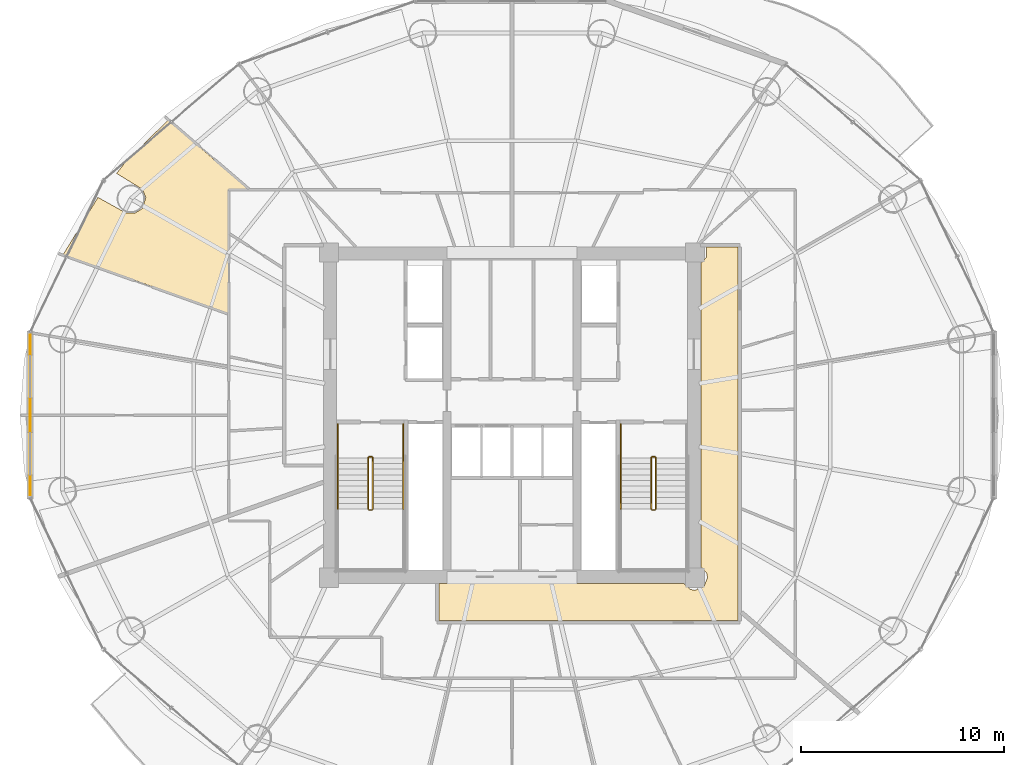
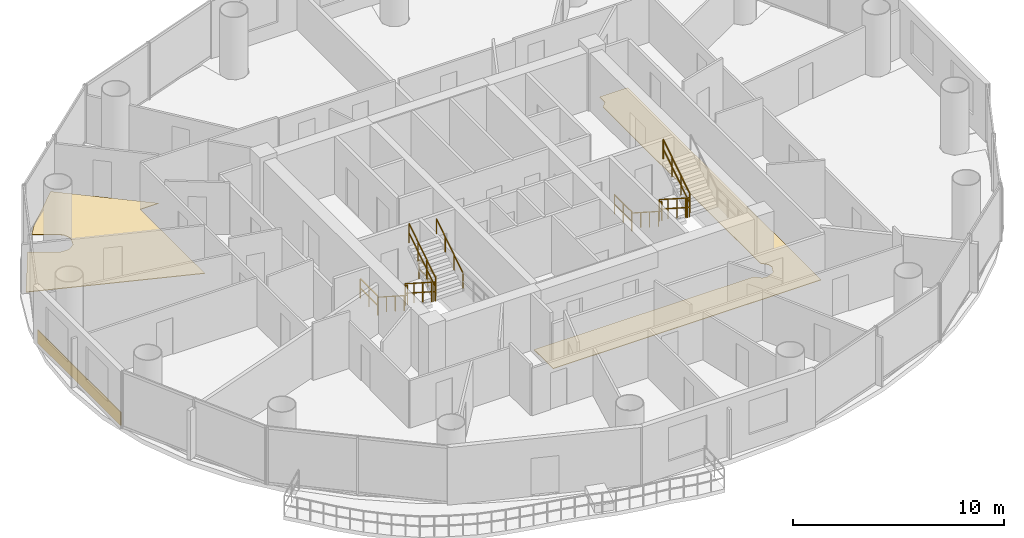
# One storey, part 26 of 27: 14 railings, 3 coverings.
"""IFC4 building model written with IfcOpenShell, lengths in metres."""

from ifc_helpers import new_model, si_unit, direction, frame, origin, origin_2d, place, context, subcontext, project, spatial, polyline, rectangle, outline, extrude, source, transform, mapped, material, layer, layer_set, type_object, element, save


model = new_model("IFC4")

# Units and contexts
model_context = context("Model", 3, precision=1e-05, world=origin(), true_north=direction((-0.2419218956, 0.970295726276)))
body_context = subcontext(model_context, "Body", "Model", "MODEL_VIEW")
ifc_project = project(units=[si_unit("LENGTHUNIT", "METRE"), si_unit("AREAUNIT", "SQUARE_METRE"), si_unit("VOLUMEUNIT", "CUBIC_METRE"), si_unit("PLANEANGLEUNIT", "RADIAN"), si_unit("MASSUNIT", "GRAM", prefix="KILO")], contexts=[model_context])

# Site, building, storey
site_placement = place(None, origin())
site = spatial("IfcSite", under=ifc_project, at=site_placement, CompositionType="ELEMENT")
building_placement = place(site_placement, origin())
building = spatial("IfcBuilding", under=site, at=building_placement, Name="Cobrevalo Terracotta Tower", CompositionType="ELEMENT")
storey_placement = place(building_placement, frame((0.0, 0.0, 153.39990234375)))
storey = spatial("IfcBuildingStorey", under=building, at=storey_placement, Name="L40", CompositionType="ELEMENT", Elevation=153.39990234375)

# Coverings
ifc_material_1 = material(Name="Engineered Brazilian hardwood flooring", Category="wood")
ifc_layer_1 = layer(ifc_material_1, 0.028076171875)
ifc_layer_set_1 = layer_set([ifc_layer_1], Name="Engineered Brazilian hardwood flooring")
covering_type_1 = type_object("IfcCoveringType", Name="Engineered Hardwood Suite Flooring 28", PredefinedType="FLOORING", material=ifc_layer_set_1)
covering_1_placement = place(storey_placement, origin())
element("IfcCovering", 1, at=covering_1_placement, inside=storey, type_object=covering_type_1, Name="Flat L40A Principal Guest Bedroom floor finish", PredefinedType="FLOORING", context=body_context, shape_type="SweptSolid", body=[
    extrude(outline(polyline([(17.632568359375, 37.50634765625), (19.017822265625, 36.736572265625), (19.447265625, 36.725830078125), (19.810302734375, 36.955322265625), (19.988525390625, 37.4931640625), (19.834228515625, 37.89404296875), (18.551513671875, 38.6865234375), (19.02197265625, 39.29052734375), (21.0888671875, 41.308837890625), (25.049072265625, 37.905029296875), (24.044921875, 37.905029296875), (24.044921875, 31.78955078125), (15.918212890625, 34.6826171875), (17.632568359375, 37.50634765625)])), origin(), (0.0, 0.0, 1.0), 0.030029296875),
])
ifc_material_2 = material(Name="Honed terracotta and granite tile", Category="masonry")
ifc_layer_2 = layer(ifc_material_2, 0.034912109375)
ifc_layer_set_2 = layer_set([ifc_layer_2], Name="Honed terracotta and granite tile")
covering_type_2 = type_object("IfcCoveringType", Name="Honed Terracotta & Granite Interior Flooring 35", PredefinedType="FLOORING", material=ifc_layer_set_2)
covering_2_placement = place(storey_placement, origin())
element("IfcCovering", 2, at=covering_2_placement, inside=storey, type_object=covering_type_2, Name="L40 Residential Floor Corridor 1 floor finish", PredefinedType="FLOORING", context=body_context, shape_type="SweptSolid", body=[
    extrude(outline(polyline([(34.419921875, 18.5048828125), (46.46533203125, 18.5048828125), (46.7626953125, 18.226806640625), (47.0, 18.1796875), (47.438720703125, 18.361328125), (47.620361328125, 18.800048828125), (47.5732421875, 19.037353515625), (47.294921875, 19.334716796875), (47.294921875, 34.265380859375), (47.5732421875, 34.5625), (47.5615234375, 35.054931640625), (49.10498046875, 35.054931640625), (49.10498046875, 16.695068359375), (34.419921875, 16.695068359375), (34.419921875, 18.5048828125)])), origin(), (0.0, 0.0, 1.0), 0.030029296875),
])

# Railings
ifc_material_3 = material(Name="Brushed stainless steel", Category="steel")
railing_type_1 = type_object("IfcRailingType", Name="Stainless Steel Stair Handrail 900", PredefinedType="HANDRAIL", material=ifc_material_3)
railing_1_placement = place(storey_placement, frame((29.425048828125, 24.699951171875, 0.18017578125)))
element("IfcRailing", 3, at=railing_1_placement, inside=storey, type_object=railing_type_1, Name="L40 ST-1 stair handrail 1", PredefinedType="HANDRAIL", context=body_context, shape_type="SweptSolid", body=[
    extrude(rectangle(XDim=0.048095703125, YDim=0.048095703125, at=origin_2d()), frame((0.0, 0.0, 0.8759765625), z_axis=(0.0, -0.841199657755, 0.540724639528), x_axis=(1.0, 0.0, 0.0)), (0.0, 0.0, 1.0), 2.995849609375),
    extrude(rectangle(XDim=0.0419921875, YDim=0.0419921875, at=origin_2d()), origin(), (0.0, 0.0, 1.0), 0.851806640625),
    extrude(rectangle(XDim=0.0419921875, YDim=0.0419921875, at=origin_2d()), frame((0.0, -0.840087890625, 0.5400390625)), (0.0, 0.0, 1.0), 0.851806640625),
    extrude(rectangle(XDim=0.0419921875, YDim=0.0419921875, at=origin_2d()), frame((0.0, -1.679931640625, 1.079833984375)), (0.0, 0.0, 1.0), 0.851806640625),
    extrude(rectangle(XDim=0.0419921875, YDim=0.0419921875, at=origin_2d()), frame((0.0, -2.52001953125, 1.619873046875)), (0.0, 0.0, 1.0), 0.851806640625),
])
railing_2_placement = place(storey_placement, frame((32.64501953125, 22.179931640625, 1.97998046875)))
element("IfcRailing", 4, at=railing_2_placement, inside=storey, type_object=railing_type_1, Name="L40 ST-1 stair handrail 2", PredefinedType="HANDRAIL", context=body_context, shape_type="SweptSolid", body=[
    extrude(rectangle(XDim=0.048095703125, YDim=0.048095703125, at=origin_2d()), frame((0.0, 0.0, 0.8759765625), z_axis=(0.0, 0.841162588446, 0.540782303519), x_axis=(-1.0, 0.0, 0.0)), (0.0, 0.0, 1.0), 2.995849609375),
    extrude(rectangle(XDim=0.0419921875, YDim=0.0419921875, at=origin_2d()), origin(), (0.0, 0.0, 1.0), 0.851806640625),
    extrude(rectangle(XDim=0.0419921875, YDim=0.0419921875, at=origin_2d()), frame((0.0, 0.840087890625, 0.5400390625)), (0.0, 0.0, 1.0), 0.851806640625),
    extrude(rectangle(XDim=0.0419921875, YDim=0.0419921875, at=origin_2d()), frame((0.0, 1.679931640625, 1.080078125)), (0.0, 0.0, 1.0), 0.851806640625),
    extrude(rectangle(XDim=0.0419921875, YDim=0.0419921875, at=origin_2d()), frame((0.0, 2.52001953125, 1.6201171875)), (0.0, 0.0, 1.0), 0.851806640625),
])
railing_3_placement = place(storey_placement, frame((43.35498046875, 24.699951171875, 0.18017578125)))
element("IfcRailing", 5, at=railing_3_placement, inside=storey, type_object=railing_type_1, Name="L40 ST-2 stair handrail 1", PredefinedType="HANDRAIL", context=body_context, shape_type="SweptSolid", body=[
    extrude(rectangle(XDim=0.048095703125, YDim=0.048095703125, at=origin_2d()), frame((0.0, 0.0, 0.8759765625), z_axis=(0.0, -0.841199657755, 0.540724639528), x_axis=(1.0, 0.0, 0.0)), (0.0, 0.0, 1.0), 2.995849609375),
    extrude(rectangle(XDim=0.0419921875, YDim=0.0419921875, at=origin_2d()), origin(), (0.0, 0.0, 1.0), 0.851806640625),
    extrude(rectangle(XDim=0.0419921875, YDim=0.0419921875, at=origin_2d()), frame((0.0, -0.840087890625, 0.5400390625)), (0.0, 0.0, 1.0), 0.851806640625),
    extrude(rectangle(XDim=0.0419921875, YDim=0.0419921875, at=origin_2d()), frame((0.0, -1.679931640625, 1.079833984375)), (0.0, 0.0, 1.0), 0.851806640625),
    extrude(rectangle(XDim=0.0419921875, YDim=0.0419921875, at=origin_2d()), frame((0.0, -2.52001953125, 1.619873046875)), (0.0, 0.0, 1.0), 0.851806640625),
])
ifc_material_4 = material(Name="Painted galvanized steel", Category="steel")
railing_type_2 = type_object("IfcRailingType", Name="Stair Well Guard Balustrade 1150", PredefinedType="GUARDRAIL", material=ifc_material_4)
railing_4_placement = place(storey_placement, frame((30.925048828125, 24.699951171875, 0.18017578125)))
element("IfcRailing", 6, at=railing_4_placement, inside=storey, type_object=railing_type_2, Name="L40 ST-1 stair guard 1", PredefinedType="GUARDRAIL", context=body_context, shape_type="SweptSolid", body=[
    extrude(rectangle(XDim=0.048095703125, YDim=0.048095703125, at=origin_2d()), frame((0.0, 0.0, 1.1259765625), z_axis=(0.0, -0.841199657755, 0.540724639528), x_axis=(1.0, 0.0, 0.0)), (0.0, 0.0, 1.0), 2.995849609375),
    extrude(rectangle(XDim=0.048095703125, YDim=0.048095703125, at=origin_2d()), frame((0.0, 0.0, 0.574951171875), z_axis=(0.0, -0.841199657755, 0.540724639528), x_axis=(1.0, 0.0, 0.0)), (0.0, 0.0, 1.0), 2.995849609375),
    extrude(rectangle(XDim=0.0419921875, YDim=0.0419921875, at=origin_2d()), origin(), (0.0, 0.0, 1.0), 1.101806640625),
    extrude(rectangle(XDim=0.0419921875, YDim=0.0419921875, at=origin_2d()), frame((0.0, -0.840087890625, 0.5400390625)), (0.0, 0.0, 1.0), 1.101806640625),
    extrude(rectangle(XDim=0.0419921875, YDim=0.0419921875, at=origin_2d()), frame((0.0, -1.679931640625, 1.079833984375)), (0.0, 0.0, 1.0), 1.101806640625),
    extrude(rectangle(XDim=0.0419921875, YDim=0.0419921875, at=origin_2d()), frame((0.0, -2.52001953125, 1.619873046875)), (0.0, 0.0, 1.0), 1.101806640625),
])
railing_5_placement = place(storey_placement, frame((30.97509765625, 22.1298828125, 1.800048828125)))
element("IfcRailing", 7, at=railing_5_placement, inside=storey, type_object=railing_type_2, Name="L40 ST-1 stair guard 2", PredefinedType="GUARDRAIL", context=body_context, shape_type="SweptSolid", body=[
    extrude(rectangle(XDim=0.048095703125, YDim=0.048095703125, at=origin_2d()), frame((0.0, 0.0, 1.1259765625), z_axis=(1.0, 0.0, 0.0), x_axis=(0.0, 1.0, 0.0)), (0.0, 0.0, 1.0), 0.119873046875),
    extrude(rectangle(XDim=0.048095703125, YDim=0.048095703125, at=origin_2d()), frame((0.0, 0.0, 0.574951171875), z_axis=(1.0, 0.0, 0.0), x_axis=(0.0, 1.0, 0.0)), (0.0, 0.0, 1.0), 0.119873046875),
    extrude(rectangle(XDim=0.0419921875, YDim=0.0419921875, at=origin_2d()), origin(), (0.0, 0.0, 1.0), 1.101806640625),
    extrude(rectangle(XDim=0.0419921875, YDim=0.0419921875, at=origin_2d()), frame((0.119873046875, 0.0, 0.0)), (0.0, 0.0, 1.0), 1.101806640625),
])
railing_6_placement = place(storey_placement, frame((31.14501953125, 22.179931640625, 1.97998046875)))
element("IfcRailing", 8, at=railing_6_placement, inside=storey, type_object=railing_type_2, Name="L40 ST-1 stair guard 6", PredefinedType="GUARDRAIL", context=body_context, shape_type="SweptSolid", body=[
    extrude(rectangle(XDim=0.048095703125, YDim=0.048095703125, at=origin_2d()), frame((0.0, 0.0, 1.1259765625), z_axis=(0.0, 0.841162588446, 0.540782303519), x_axis=(-1.0, 0.0, 0.0)), (0.0, 0.0, 1.0), 2.995849609375),
    extrude(rectangle(XDim=0.048095703125, YDim=0.048095703125, at=origin_2d()), frame((0.0, 0.0, 0.574951171875), z_axis=(0.0, 0.841162588446, 0.540782303519), x_axis=(-1.0, 0.0, 0.0)), (0.0, 0.0, 1.0), 2.995849609375),
    extrude(rectangle(XDim=0.0419921875, YDim=0.0419921875, at=origin_2d()), origin(), (0.0, 0.0, 1.0), 1.101806640625),
    extrude(rectangle(XDim=0.0419921875, YDim=0.0419921875, at=origin_2d()), frame((0.0, 0.840087890625, 0.5400390625)), (0.0, 0.0, 1.0), 1.101806640625),
    extrude(rectangle(XDim=0.0419921875, YDim=0.0419921875, at=origin_2d()), frame((0.0, 1.679931640625, 1.080078125)), (0.0, 0.0, 1.0), 1.101806640625),
    extrude(rectangle(XDim=0.0419921875, YDim=0.0419921875, at=origin_2d()), frame((0.0, 2.52001953125, 1.6201171875)), (0.0, 0.0, 1.0), 1.101806640625),
])
railing_7_placement = place(storey_placement, frame((30.97509765625, 24.75, 0.0)))
element("IfcRailing", 9, at=railing_7_placement, inside=storey, type_object=railing_type_2, Name="L40 ST-1 stair guard 7", PredefinedType="GUARDRAIL", context=body_context, shape_type="SweptSolid", body=[
    extrude(rectangle(XDim=0.048095703125, YDim=0.048095703125, at=origin_2d()), frame((0.0, 0.0, 1.1259765625), z_axis=(1.0, 0.0, 0.0), x_axis=(0.0, 1.0, 0.0)), (0.0, 0.0, 1.0), 0.119873046875),
    extrude(rectangle(XDim=0.048095703125, YDim=0.048095703125, at=origin_2d()), frame((0.0, 0.0, 0.574951171875), z_axis=(1.0, 0.0, 0.0), x_axis=(0.0, 1.0, 0.0)), (0.0, 0.0, 1.0), 0.119873046875),
    extrude(rectangle(XDim=0.0419921875, YDim=0.0419921875, at=origin_2d()), origin(), (0.0, 0.0, 1.0), 1.101806640625),
    extrude(rectangle(XDim=0.0419921875, YDim=0.0419921875, at=origin_2d()), frame((0.119873046875, 0.0, 0.0)), (0.0, 0.0, 1.0), 1.101806640625),
])
for number, where, name in (
    (10, (29.425048828125, 26.35009765625, 0.0), "L40 ST-1 stair guard 8"),
    (11, (32.64501953125, 26.35009765625, 0.0), "L40 ST-1 stair guard 9"),
):
    element("IfcRailing", number, at=place(storey_placement, frame(where)), inside=storey, type_object=railing_type_2, Name=name, PredefinedType="GUARDRAIL", context=body_context, shape_type="SweptSolid", body=[
        extrude(rectangle(XDim=0.048095703125, YDim=0.048095703125, at=origin_2d()), frame((0.0, 0.0, 1.1259765625), z_axis=(0.0, -1.0, 0.0), x_axis=(1.0, 0.0, 0.0)), (0.0, 0.0, 1.0), 1.650146484375),
        extrude(rectangle(XDim=0.048095703125, YDim=0.048095703125, at=origin_2d()), frame((0.0, 0.0, 0.574951171875), z_axis=(0.0, -1.0, 0.0), x_axis=(1.0, 0.0, 0.0)), (0.0, 0.0, 1.0), 1.650146484375),
        extrude(rectangle(XDim=0.0419921875, YDim=0.0419921875, at=origin_2d()), origin(), (0.0, 0.0, 1.0), 1.101806640625),
        extrude(rectangle(XDim=0.0419921875, YDim=0.0419921875, at=origin_2d()), frame((0.0, -0.8251953125, 0.0)), (0.0, 0.0, 1.0), 1.101806640625),
        extrude(rectangle(XDim=0.0419921875, YDim=0.0419921875, at=origin_2d()), frame((0.0, -1.650146484375, 0.0)), (0.0, 0.0, 1.0), 1.101806640625),
    ])
railing_8_placement = place(storey_placement, frame((44.85498046875, 24.699951171875, 0.18017578125)))
element("IfcRailing", 12, at=railing_8_placement, inside=storey, type_object=railing_type_2, Name="L40 ST-2 stair guard 1", PredefinedType="GUARDRAIL", context=body_context, shape_type="SweptSolid", body=[
    extrude(rectangle(XDim=0.048095703125, YDim=0.048095703125, at=origin_2d()), frame((0.0, 0.0, 1.1259765625), z_axis=(0.0, -0.841199657755, 0.540724639528), x_axis=(1.0, 0.0, 0.0)), (0.0, 0.0, 1.0), 2.995849609375),
    extrude(rectangle(XDim=0.048095703125, YDim=0.048095703125, at=origin_2d()), frame((0.0, 0.0, 0.574951171875), z_axis=(0.0, -0.841199657755, 0.540724639528), x_axis=(1.0, 0.0, 0.0)), (0.0, 0.0, 1.0), 2.995849609375),
    extrude(rectangle(XDim=0.0419921875, YDim=0.0419921875, at=origin_2d()), origin(), (0.0, 0.0, 1.0), 1.101806640625),
    extrude(rectangle(XDim=0.0419921875, YDim=0.0419921875, at=origin_2d()), frame((0.0, -0.840087890625, 0.5400390625)), (0.0, 0.0, 1.0), 1.101806640625),
    extrude(rectangle(XDim=0.0419921875, YDim=0.0419921875, at=origin_2d()), frame((0.0, -1.679931640625, 1.079833984375)), (0.0, 0.0, 1.0), 1.101806640625),
    extrude(rectangle(XDim=0.0419921875, YDim=0.0419921875, at=origin_2d()), frame((0.0, -2.52001953125, 1.619873046875)), (0.0, 0.0, 1.0), 1.101806640625),
])
railing_9_placement = place(storey_placement, frame((44.905029296875, 22.1298828125, 1.800048828125)))
element("IfcRailing", 13, at=railing_9_placement, inside=storey, type_object=railing_type_2, Name="L40 ST-2 stair guard 2", PredefinedType="GUARDRAIL", context=body_context, shape_type="SweptSolid", body=[
    extrude(rectangle(XDim=0.048095703125, YDim=0.048095703125, at=origin_2d()), frame((0.0, 0.0, 1.1259765625), z_axis=(1.0, 0.0, 0.0), x_axis=(0.0, 1.0, 0.0)), (0.0, 0.0, 1.0), 0.119873046875),
    extrude(rectangle(XDim=0.048095703125, YDim=0.048095703125, at=origin_2d()), frame((0.0, 0.0, 0.574951171875), z_axis=(1.0, 0.0, 0.0), x_axis=(0.0, 1.0, 0.0)), (0.0, 0.0, 1.0), 0.119873046875),
    extrude(rectangle(XDim=0.0419921875, YDim=0.0419921875, at=origin_2d()), origin(), (0.0, 0.0, 1.0), 1.101806640625),
    extrude(rectangle(XDim=0.0419921875, YDim=0.0419921875, at=origin_2d()), frame((0.119873046875, 0.0, 0.0)), (0.0, 0.0, 1.0), 1.101806640625),
])
railing_10_placement = place(storey_placement, frame((45.074951171875, 22.179931640625, 1.97998046875)))
element("IfcRailing", 14, at=railing_10_placement, inside=storey, type_object=railing_type_2, Name="L40 ST-2 stair guard 6", PredefinedType="GUARDRAIL", context=body_context, shape_type="SweptSolid", body=[
    extrude(rectangle(XDim=0.048095703125, YDim=0.048095703125, at=origin_2d()), frame((0.0, 0.0, 1.1259765625), z_axis=(0.0, 0.841162588446, 0.540782303519), x_axis=(-1.0, 0.0, 0.0)), (0.0, 0.0, 1.0), 2.995849609375),
    extrude(rectangle(XDim=0.048095703125, YDim=0.048095703125, at=origin_2d()), frame((0.0, 0.0, 0.574951171875), z_axis=(0.0, 0.841162588446, 0.540782303519), x_axis=(-1.0, 0.0, 0.0)), (0.0, 0.0, 1.0), 2.995849609375),
    extrude(rectangle(XDim=0.0419921875, YDim=0.0419921875, at=origin_2d()), origin(), (0.0, 0.0, 1.0), 1.101806640625),
    extrude(rectangle(XDim=0.0419921875, YDim=0.0419921875, at=origin_2d()), frame((0.0, 0.840087890625, 0.5400390625)), (0.0, 0.0, 1.0), 1.101806640625),
    extrude(rectangle(XDim=0.0419921875, YDim=0.0419921875, at=origin_2d()), frame((0.0, 1.679931640625, 1.080078125)), (0.0, 0.0, 1.0), 1.101806640625),
    extrude(rectangle(XDim=0.0419921875, YDim=0.0419921875, at=origin_2d()), frame((0.0, 2.52001953125, 1.6201171875)), (0.0, 0.0, 1.0), 1.101806640625),
])
railing_11_placement = place(storey_placement, frame((44.905029296875, 24.75, 0.0)))
element("IfcRailing", 15, at=railing_11_placement, inside=storey, type_object=railing_type_2, Name="L40 ST-2 stair guard 7", PredefinedType="GUARDRAIL", context=body_context, shape_type="SweptSolid", body=[
    extrude(rectangle(XDim=0.048095703125, YDim=0.048095703125, at=origin_2d()), frame((0.0, 0.0, 1.1259765625), z_axis=(1.0, 0.0, 0.0), x_axis=(0.0, 1.0, 0.0)), (0.0, 0.0, 1.0), 0.119873046875),
    extrude(rectangle(XDim=0.048095703125, YDim=0.048095703125, at=origin_2d()), frame((0.0, 0.0, 0.574951171875), z_axis=(1.0, 0.0, 0.0), x_axis=(0.0, 1.0, 0.0)), (0.0, 0.0, 1.0), 0.119873046875),
    extrude(rectangle(XDim=0.0419921875, YDim=0.0419921875, at=origin_2d()), origin(), (0.0, 0.0, 1.0), 1.101806640625),
    extrude(rectangle(XDim=0.0419921875, YDim=0.0419921875, at=origin_2d()), frame((0.119873046875, 0.0, 0.0)), (0.0, 0.0, 1.0), 1.101806640625),
])
railing_12_placement = place(storey_placement, frame((43.35498046875, 26.35009765625, 0.0)))
element("IfcRailing", 16, at=railing_12_placement, inside=storey, type_object=railing_type_2, Name="L40 ST-2 stair guard 8", PredefinedType="GUARDRAIL", context=body_context, shape_type="SweptSolid", body=[
    extrude(rectangle(XDim=0.048095703125, YDim=0.048095703125, at=origin_2d()), frame((0.0, 0.0, 1.1259765625), z_axis=(0.0, -1.0, 0.0), x_axis=(1.0, 0.0, 0.0)), (0.0, 0.0, 1.0), 1.650146484375),
    extrude(rectangle(XDim=0.048095703125, YDim=0.048095703125, at=origin_2d()), frame((0.0, 0.0, 0.574951171875), z_axis=(0.0, -1.0, 0.0), x_axis=(1.0, 0.0, 0.0)), (0.0, 0.0, 1.0), 1.650146484375),
    extrude(rectangle(XDim=0.0419921875, YDim=0.0419921875, at=origin_2d()), origin(), (0.0, 0.0, 1.0), 1.101806640625),
    extrude(rectangle(XDim=0.0419921875, YDim=0.0419921875, at=origin_2d()), frame((0.0, -0.8251953125, 0.0)), (0.0, 0.0, 1.0), 1.101806640625),
    extrude(rectangle(XDim=0.0419921875, YDim=0.0419921875, at=origin_2d()), frame((0.0, -1.650146484375, 0.0)), (0.0, 0.0, 1.0), 1.101806640625),
])

# Covering
ifc_material_5 = material(Name="Glazed terracotta facade cladding tile", Category="masonry")
ifc_layer_3 = layer(ifc_material_5, 0.044921875)
ifc_layer_set_3 = layer_set([ifc_layer_3], Name="Glazed terracotta facade cladding tile")
covering_type_3 = type_object("IfcCoveringType", Name="Architectural terracotta rainscreen spandrel cladding 45 mm", PredefinedType="CLADDING", material=ifc_layer_set_3)
shared_shape = source(origin(), body_context, "Body", "SweptSolid", [
    extrude(rectangle(XDim=7.904052734375, YDim=0.044921875, at=origin_2d()), origin(), (0.0, 0.0, 1.0), 0.760009765625),
])
covering_3_placement = place(storey_placement, frame((14.29443359375, 26.800048828125, 0.0400390625), z_axis=(0.0, 0.0, 1.0), x_axis=(0.0, -1.0, 0.0)))
element("IfcCovering", 17, at=covering_3_placement, inside=storey, type_object=covering_type_3, Name="L40 terracotta spandrel cladding S08", PredefinedType="CLADDING", context=body_context, shape_type="MappedRepresentation", body=[
    mapped(shared_shape, transform((0.0, 0.0, 0.0), scale=1.0)),
])

save(model, "model.ifc")
